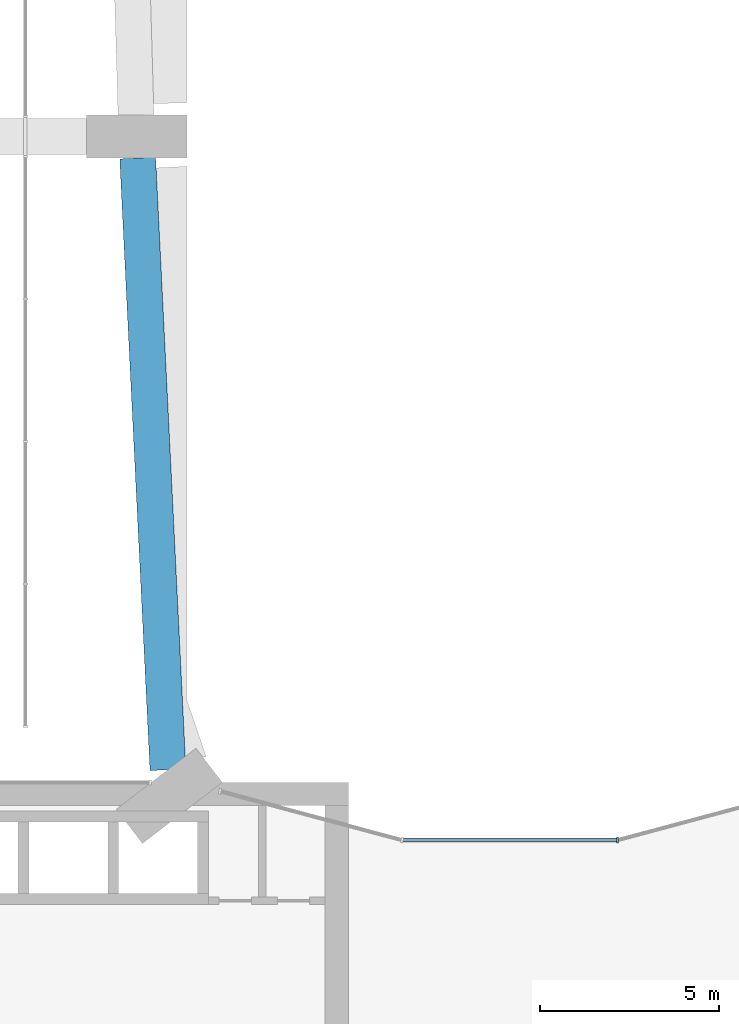
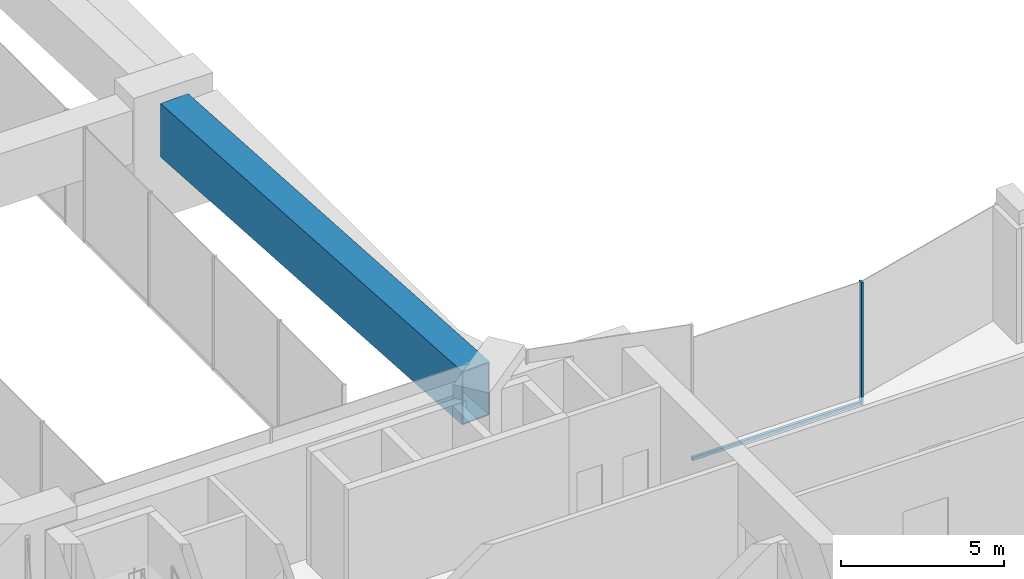
# One storey, part 5 of 13: 2 members, 1 beam, 1 element without a shape of its own.
"""IFC4 building model written with IfcOpenShell, lengths in metres."""

from ifc_helpers import new_model, si_unit, direction, frame, origin, origin_2d, place, context, subcontext, project, spatial, rectangle, hollow_rectangle, extrude, material, layer, layer_set, material_profile, profile_set, type_object, element, aggregate, save


model = new_model("IFC4")

# Units and contexts
model_context = context("Model", 3, precision=1e-05, world=origin(), true_north=direction((0.0, 1.0)))
body_context = subcontext(model_context, "Body", "Model", "MODEL_VIEW")
ifc_project = project(units=[si_unit("LENGTHUNIT", "METRE"), si_unit("AREAUNIT", "SQUARE_METRE"), si_unit("VOLUMEUNIT", "CUBIC_METRE"), si_unit("PLANEANGLEUNIT", "RADIAN"), si_unit("MASSUNIT", "GRAM", prefix="KILO")], contexts=[model_context])

# Site, building, storey
site_placement = place(None, origin())
site = spatial("IfcSite", under=ifc_project, at=site_placement, CompositionType="ELEMENT")
building_placement = place(site_placement, origin())
building = spatial("IfcBuilding", under=site, at=building_placement, Name="Plateau Cross Towers", CompositionType="ELEMENT")
storey_placement = place(building_placement, frame((0.0, 0.0, 134.60009765625)))
storey = spatial("IfcBuildingStorey", under=building, at=storey_placement, Name="L34", CompositionType="ELEMENT", Elevation=134.60009765625)

# Curtain wall, member
ifc_material_1 = material(Name="Dark low-iron glass", Category="glass")
ifc_layer = layer(ifc_material_1, 0.260009765625)
ifc_layer_set = layer_set([ifc_layer], Name="Dark low-iron glass")
curtain_wall_type = type_object("IfcCurtainWallType", Name="Curtain wall fluted unitised CW-A", PredefinedType="NOTDEFINED", material=ifc_layer_set)
curtain_wall_placement = place(storey_placement, origin())
curtain_wall = element("IfcCurtainWall", 1, at=curtain_wall_placement, inside=storey, type_object=curtain_wall_type, Name="ENV/A/L34/A300_164", PredefinedType="NOTDEFINED")
ifc_material_2 = material(Name="Black anodised aluminium", Category="aluminium")
ifc_material_profile_1 = material_profile(ifc_material_2, rectangle(XDim=0.06005859375, YDim=0.159912109375, at=origin_2d()), Name="MULLION 60x160")
ifc_profile_set_1 = profile_set([ifc_material_profile_1], Name="Black anodised aluminium")
member_type_1 = type_object("IfcMemberType", Name="Mullion 60x160 fluted unitised", PredefinedType="MULLION", material=ifc_profile_set_1)
member_1_placement = place(storey_placement, frame((30.0, 16.39306640625, -0.300048828125), z_axis=(0.0, 0.0, 1.0), x_axis=(-1.0, 0.0, 0.0)))
member_1 = element("IfcMember", 2, at=member_1_placement, type_object=member_type_1, Name="CW-A mullion 1", PredefinedType="MULLION", context=body_context, shape_type="SweptSolid", body=[
    extrude(rectangle(XDim=0.06005859375, YDim=0.159912109375, at=origin_2d()), origin(), (0.0, 0.0, 1.0), 4.599853515625),
])

# Beam
ifc_material_3 = material(Name="Steel S355", Category="steel")
ifc_material_profile_2 = material_profile(ifc_material_3, hollow_rectangle(XDim=1.0, YDim=2.0, WallThickness=0.0400390625, at=origin_2d()), Name="BOX 2000x1000x40")
ifc_profile_set_2 = profile_set([ifc_material_profile_2], Name="Steel S355")
beam_type = type_object("IfcBeamType", Name="Sky garden fascia girder BOX 2000x1000x40", PredefinedType="BEAM", material=ifc_profile_set_2)
beam_placement = place(storey_placement, frame((17.473388671875, 18.35205078125, 3.2998046875), z_axis=(-0.04943253307, 0.998777465041, 0.0), x_axis=(-0.998777465041, -0.04943253307, 0.0)))
element("IfcBeam", 3, at=beam_placement, inside=storey, type_object=beam_type, Name="FT-E1-T1", PredefinedType="BEAM", context=body_context, shape_type="SweptSolid", body=[
    extrude(hollow_rectangle(XDim=1.0, YDim=2.0, WallThickness=0.0400390625, at=origin_2d()), origin(), (0.0, 0.0, 1.0), 17.068603515625),
])

# Member
ifc_material_profile_3 = material_profile(ifc_material_2, rectangle(XDim=0.10009765625, YDim=0.1201171875, at=origin_2d()), Name="TRANSOM 100x120")
ifc_profile_set_3 = profile_set([ifc_material_profile_3], Name="Black anodised aluminium")
member_type_2 = type_object("IfcMemberType", Name="Transom 100x120 fluted unitised", PredefinedType="USERDEFINED", material=ifc_profile_set_3)
member_2_placement = place(storey_placement, frame((30.0, 16.39306640625, -0.239990234375), z_axis=(-1.0, 0.0, 0.0), x_axis=(0.0, -1.0, 0.0)))
member_2 = element("IfcMember", 4, at=member_2_placement, type_object=member_type_2, Name="CW-A transom", ObjectType="TRANSOM", PredefinedType="USERDEFINED", context=body_context, shape_type="SweptSolid", body=[
    extrude(rectangle(XDim=0.10009765625, YDim=0.1201171875, at=origin_2d()), origin(), (0.0, 0.0, 1.0), 6.0),
])

aggregate(curtain_wall, [member_1, member_2])

save(model, "model.ifc")
